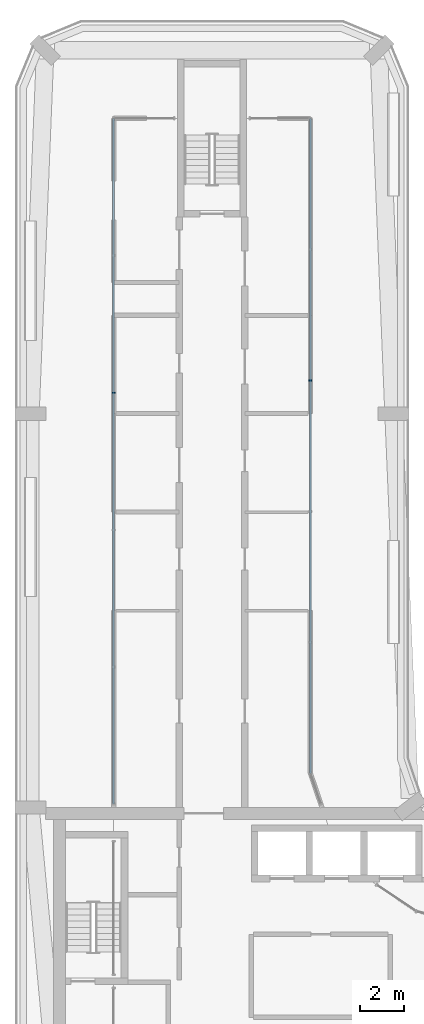
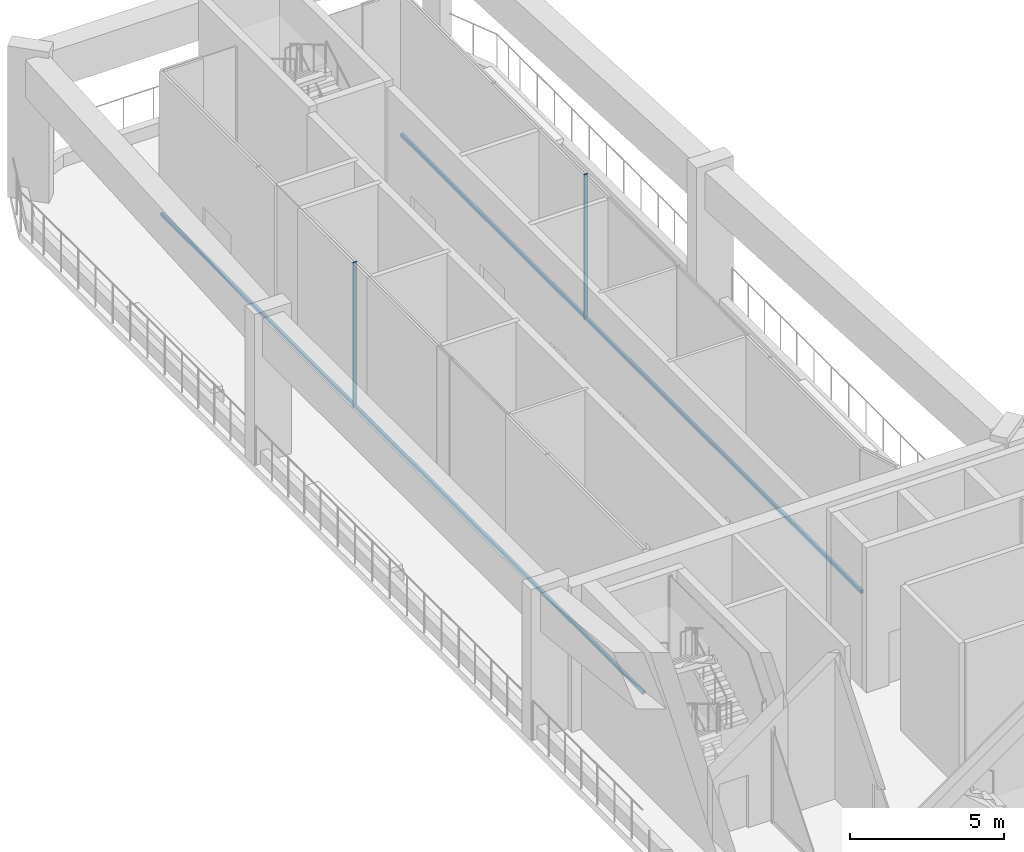
# One storey, part 7 of 17: 4 members, 2 elements without a shape of their own.
"""IFC4 building model written with IfcOpenShell, lengths in metres."""

import ifcopenshell
import ifcopenshell.guid

model = None  # the IFC model being written
_history = None  # IfcOwnerHistory: only IFC2X3 demands one
_inside = {}  # id of a spatial element -> (the spatial element, [elements in it])
_under = {}  # id of a project, library or spatial element -> (it, [spatial elements below it])
_declared = {}  # id of a project -> (the project, [libraries it declares])
_typed = {}  # id of a type object -> (the type object, [elements of that type])
_made_of = {}  # id of a material, layer set ... -> (it, [elements and type objects made of it])


def new_model(schema):
    """Start an empty IFC model of exactly this schema.

    Asked for "IFC4X3", IfcOpenShell would pick the latest addendum, in which some entities
    have other attributes; the version numbers below select the first issue.
    IFC2X3 requires an IfcOwnerHistory on every rooted entity: one is made here for all.
    """
    global model, _history
    if schema == "IFC4X3":
        model = ifcopenshell.file(schema_version=(4, 3, 0, 0))
    else:
        model = ifcopenshell.file(schema=schema)
    _inside.clear()
    _under.clear()
    _declared.clear()
    _typed.clear()
    _made_of.clear()
    _history = None
    if model.schema == "IFC2X3":
        org = make("IfcOrganization", Name="unknown")
        user = make(
            "IfcPersonAndOrganization",
            ThePerson=make("IfcPerson", FamilyName="unknown"),
            TheOrganization=org,
        )
        app = make(
            "IfcApplication",
            ApplicationDeveloper=org,
            Version="unknown",
            ApplicationFullName="unknown",
            ApplicationIdentifier="unknown",
        )
        _history = make(
            "IfcOwnerHistory",
            OwningUser=user,
            OwningApplication=app,
            ChangeAction="ADDED",
            CreationDate=0,
        )
    return model


def make(cls, **values):
    """One entity of the class cls with the attributes given. An attribute that is None is left unset."""
    return model.create_entity(
        cls, **{name: value for name, value in values.items() if value is not None}
    )


def rooted(cls, **values):
    """An entity with a GlobalId (a new one), such as an element, a storey or a relation."""
    return make(cls, GlobalId=ifcopenshell.guid.new(), OwnerHistory=_history, **values)


def si_unit(unit_type, name, prefix=None):
    """IfcSIUnit, for example si_unit("LENGTHUNIT", "METRE", prefix="MILLI")."""
    return make("IfcSIUnit", UnitType=unit_type, Prefix=prefix, Name=name)


def assignment(units):
    """IfcUnitAssignment: the units of a project."""
    return None if units is None else make("IfcUnitAssignment", Units=units)


def point(xyz):
    """IfcCartesianPoint."""
    return None if xyz is None else make("IfcCartesianPoint", Coordinates=xyz)


def direction(xyz):
    """IfcDirection."""
    return None if xyz is None else make("IfcDirection", DirectionRatios=xyz)


def frame(location, z_axis=None, x_axis=None):
    """IfcAxis2Placement3D, a coordinate frame: its origin and axes. An axis left out is left unset."""
    return make(
        "IfcAxis2Placement3D",
        Location=point(location),
        Axis=direction(z_axis),
        RefDirection=direction(x_axis),
    )


def frame_2d(location, x_axis=None):
    """IfcAxis2Placement2D, a coordinate frame in the plane: its origin and x axis."""
    return make(
        "IfcAxis2Placement2D", Location=point(location), RefDirection=direction(x_axis)
    )


def origin():
    """The frame at (0, 0, 0) with its axes left unset."""
    return frame((0.0, 0.0, 0.0))


def origin_2d():
    """The frame at (0, 0) in the plane with its x axis left unset."""
    return frame_2d((0.0, 0.0))


def place(relative_to, where):
    """IfcLocalPlacement: puts the frame where relative to a parent placement (None: the world)."""
    return make(
        "IfcLocalPlacement", PlacementRelTo=relative_to, RelativePlacement=where
    )


def context(
    kind, dimensions, precision=None, world=None, true_north=None, identifier=None
):
    """IfcGeometricRepresentationContext, for example the 3D "Model" context."""
    return make(
        "IfcGeometricRepresentationContext",
        ContextIdentifier=identifier,
        ContextType=kind,
        CoordinateSpaceDimension=dimensions,
        Precision=precision,
        WorldCoordinateSystem=world,
        TrueNorth=true_north,
    )


def subcontext(parent, identifier, kind, view, scale=None):
    """IfcGeometricRepresentationSubContext, for example "Body" below "Model"."""
    return make(
        "IfcGeometricRepresentationSubContext",
        ContextIdentifier=identifier,
        ContextType=kind,
        ParentContext=parent,
        TargetScale=scale,
        TargetView=view,
    )


def project(units=None, contexts=None):
    """IfcProject with its units and contexts."""
    return rooted(
        "IfcProject",
        Name="project",
        RepresentationContexts=contexts,
        UnitsInContext=assignment(units),
    )


def spatial(cls, under=None, at=None, **own):
    """A site, building, storey or space (cls), placed at a placement, below another one or the project."""
    s = rooted(cls, ObjectPlacement=at, **own)
    if under is not None:
        _under.setdefault(under.id(), (under, []))[1].append(s)
    return s


def profile(cls, at=None, kind="AREA", **sizes):
    """A parametric profile (cls). Its sizes go by their IFC names, for example OverallWidth=200.0."""
    return make(cls, ProfileType=kind, Position=at, **sizes)


def rectangle(**sizes):
    """IfcRectangleProfileDef."""
    return profile("IfcRectangleProfileDef", **sizes)


def extrude(swept, where, along, depth):
    """IfcExtrudedAreaSolid: the profile swept, set in the frame where, extruded along a direction by depth."""
    return make(
        "IfcExtrudedAreaSolid",
        SweptArea=swept,
        Position=where,
        ExtrudedDirection=direction(along),
        Depth=depth,
    )


def shape(context_of_items, identifier, shape_type, items):
    """IfcShapeRepresentation: the items that make up one representation, for example the "Body"."""
    return make(
        "IfcShapeRepresentation",
        ContextOfItems=context_of_items,
        RepresentationIdentifier=identifier,
        RepresentationType=shape_type,
        Items=items,
    )


def material(Name=None, Category=None):
    """IfcMaterial."""
    return make("IfcMaterial", Name=Name, Category=Category)


def layer(
    of_material, thickness, ventilated=None, Name=None, Category=None, Priority=None
):
    """IfcMaterialLayer: one layer of a wall or slab, of a material (None: an air gap)."""
    return make(
        "IfcMaterialLayer",
        Material=of_material,
        LayerThickness=thickness,
        IsVentilated=ventilated,
        Name=Name,
        Category=Category,
        Priority=Priority,
    )


def layer_set(layers, Name=None):
    """IfcMaterialLayerSet."""
    return make("IfcMaterialLayerSet", MaterialLayers=layers, LayerSetName=Name)


def material_profile(
    of_material, cross_section, Name=None, Category=None, Priority=None
):
    """IfcMaterialProfile: a cross section and its material."""
    return make(
        "IfcMaterialProfile",
        Name=Name,
        Material=of_material,
        Profile=cross_section,
        Priority=Priority,
        Category=Category,
    )


def profile_set(profiles, Name=None, composite=None):
    """IfcMaterialProfileSet."""
    return make(
        "IfcMaterialProfileSet",
        Name=Name,
        MaterialProfiles=profiles,
        CompositeProfile=composite,
    )


def made_of(thing, what):
    """Note that an element or type object is made of a material, layer set ...; save() writes the relation."""
    if what is not None:
        _made_of.setdefault(what.id(), (what, []))[1].append(thing)
    return thing


def type_object(cls, material=None, **own):
    """A type object (cls), such as IfcWallType, which elements share."""
    return made_of(rooted(cls, **own), material)


def element(
    cls,
    number,
    at=None,
    inside=None,
    cuts=None,
    type_object=None,
    material=None,
    context=None,
    identifier="Body",
    shape_type=None,
    held_by="IfcProductDefinitionShape",
    body=None,
    shapes=None,
    **own,
):
    """One element of the class cls, such as IfcWall. Its Tag is "e" and its number.

    at: its placement. inside: the storey or other place that contains it. cuts: it is an
    opening in that element (IfcRelVoidsElement). A single representation is given by context,
    identifier, shape_type and body (its items); several are given by shapes. held_by: the class
    of the entity that holds the representations. save() writes the other relations.
    """
    e = rooted(cls, Tag="e%d" % number, ObjectPlacement=at, **own)
    if body is not None:
        shapes = [shape(context, identifier, shape_type, body)]
    if shapes is not None:
        e.Representation = make(held_by, Representations=shapes)
    if inside is not None:
        _inside.setdefault(inside.id(), (inside, []))[1].append(e)
    if cuts is not None:
        rooted(
            "IfcRelVoidsElement", RelatingBuildingElement=cuts, RelatedOpeningElement=e
        )
    if type_object is not None:
        _typed.setdefault(type_object.id(), (type_object, []))[1].append(e)
    return made_of(e, material)


def aggregate(whole, parts):
    """IfcRelAggregates: a whole, such as a stair, and the parts it consists of."""
    return rooted("IfcRelAggregates", RelatingObject=whole, RelatedObjects=parts)


def save(model, path):
    """Write the relations noted so far, then the file.

    IfcRelAggregates (storeys below a building ...), IfcRelContainedInSpatialStructure (elements
    in a storey), IfcRelDefinesByType, IfcRelAssociatesMaterial and IfcRelDeclares: one each for
    every whole, place, type object, material and project.
    """
    for whole, parts in _under.values():
        aggregate(whole, parts)
    for where, things in _inside.values():
        rooted(
            "IfcRelContainedInSpatialStructure",
            RelatedElements=things,
            RelatingStructure=where,
        )
    for kind, things in _typed.values():
        rooted("IfcRelDefinesByType", RelatedObjects=things, RelatingType=kind)
    for what, things in _made_of.values():
        rooted("IfcRelAssociatesMaterial", RelatedObjects=things, RelatingMaterial=what)
    for by, libraries in _declared.values():
        rooted("IfcRelDeclares", RelatingContext=by, RelatedDefinitions=libraries)
    model.write(path)


model = new_model("IFC4")

# Units and contexts
model_context = context("Model", 3, precision=1e-05, world=origin(), true_north=direction((0.0, 1.0)))
body_context = subcontext(model_context, "Body", "Model", "MODEL_VIEW")
ifc_project = project(units=[si_unit("LENGTHUNIT", "METRE"), si_unit("AREAUNIT", "SQUARE_METRE"), si_unit("VOLUMEUNIT", "CUBIC_METRE"), si_unit("PLANEANGLEUNIT", "RADIAN"), si_unit("MASSUNIT", "GRAM", prefix="KILO")], contexts=[model_context])

# Site, building, storey
site_placement = place(None, origin())
site = spatial("IfcSite", under=ifc_project, at=site_placement, CompositionType="ELEMENT")
building_placement = place(site_placement, origin())
building = spatial("IfcBuilding", under=site, at=building_placement, Name="Plateau Cross Towers", CompositionType="ELEMENT")
storey_placement = place(building_placement, frame((0.0, 0.0, 184.89990234375)))
storey = spatial("IfcBuildingStorey", under=building, at=storey_placement, Name="L48", CompositionType="ELEMENT", Elevation=184.89990234375)

# Curtain wall, member
ifc_material_1 = material(Name="Dark low-iron glass", Category="glass")
ifc_layer = layer(ifc_material_1, 0.239990234375)
ifc_layer_set = layer_set([ifc_layer], Name="Dark low-iron glass")
curtain_wall_type = type_object("IfcCurtainWallType", Name="Curtain wall flush unitised CW-B", PredefinedType="NOTDEFINED", material=ifc_layer_set)
curtain_wall_1_placement = place(storey_placement, origin())
curtain_wall_1 = element("IfcCurtainWall", 1, at=curtain_wall_1_placement, inside=storey, type_object=curtain_wall_type, Name="ENV/A/L48/inner0_45_182", PredefinedType="NOTDEFINED")
ifc_material_2 = material(Name="Black anodised aluminium", Category="aluminium")
ifc_material_profile_1 = material_profile(ifc_material_2, rectangle(XDim=0.06005859375, YDim=0.139892578125, at=origin_2d()), Name="MULLION 60x140")
ifc_profile_set_1 = profile_set([ifc_material_profile_1], Name="Black anodised aluminium")
member_type_1 = type_object("IfcMemberType", Name="Mullion 60x140 flush unitised", PredefinedType="MULLION", material=ifc_profile_set_1)
member_1_placement = place(storey_placement, frame((4.5, 36.9599609375, 0.0), z_axis=(0.0, 0.0, 1.0), x_axis=(0.0, 1.0, 0.0)))
member_1 = element("IfcMember", 2, at=member_1_placement, type_object=member_type_1, Name="CW-B mullion 4", PredefinedType="MULLION", context=body_context, shape_type="SweptSolid", body=[
    extrude(rectangle(XDim=0.06005859375, YDim=0.139892578125, at=origin_2d()), origin(), (0.0, 0.0, 1.0), 5.75),
])

curtain_wall_2_placement = place(storey_placement, origin())
curtain_wall_2 = element("IfcCurtainWall", 3, at=curtain_wall_2_placement, inside=storey, type_object=curtain_wall_type, Name="ENV/A/L48/inner0_135_495", PredefinedType="NOTDEFINED")
member_2_placement = place(storey_placement, frame((13.5, 37.523681640625, 0.0), z_axis=(0.0, 0.0, 1.0), x_axis=(0.0, -1.0, 0.0)))
member_2 = element("IfcMember", 4, at=member_2_placement, type_object=member_type_1, Name="CW-B mullion 3", PredefinedType="MULLION", context=body_context, shape_type="SweptSolid", body=[
    extrude(rectangle(XDim=0.06005859375, YDim=0.139892578125, at=origin_2d()), origin(), (0.0, 0.0, 1.0), 5.75),
])

# Member
ifc_material_profile_2 = material_profile(ifc_material_2, rectangle(XDim=0.10009765625, YDim=0.1201171875, at=origin_2d()), Name="TRANSOM 100x120")
ifc_profile_set_2 = profile_set([ifc_material_profile_2], Name="Black anodised aluminium")
member_type_2 = type_object("IfcMemberType", Name="Transom 100x120 flush unitised", PredefinedType="USERDEFINED", material=ifc_profile_set_2)
member_3_placement = place(storey_placement, frame((4.5, 18.14990234375, 0.06005859375), z_axis=(0.0, 1.0, 0.0), x_axis=(-1.0, 0.0, 0.0)))
member_3 = element("IfcMember", 5, at=member_3_placement, type_object=member_type_2, Name="CW-B transom", ObjectType="TRANSOM", PredefinedType="USERDEFINED", context=body_context, shape_type="SweptSolid", body=[
    extrude(rectangle(XDim=0.10009765625, YDim=0.1201171875, at=origin_2d()), origin(), (0.0, 0.0, 1.0), 31.35009765625),
])

aggregate(curtain_wall_1, [member_1, member_3])

member_4_placement = place(storey_placement, frame((13.5, 49.5, 0.06005859375), z_axis=(0.0, -1.0, 0.0), x_axis=(1.0, 0.0, 0.0)))
member_4 = element("IfcMember", 6, at=member_4_placement, type_object=member_type_2, Name="CW-B transom", ObjectType="TRANSOM", PredefinedType="USERDEFINED", context=body_context, shape_type="SweptSolid", body=[
    extrude(rectangle(XDim=0.10009765625, YDim=0.1201171875, at=origin_2d()), origin(), (0.0, 0.0, 1.0), 29.940673828125),
])

aggregate(curtain_wall_2, [member_2, member_4])

save(model, "model.ifc")
